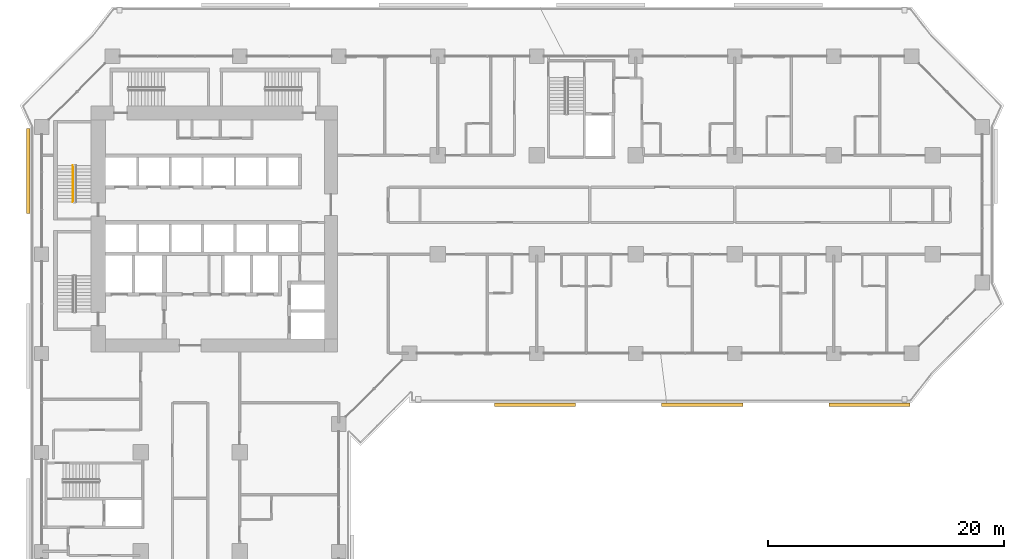
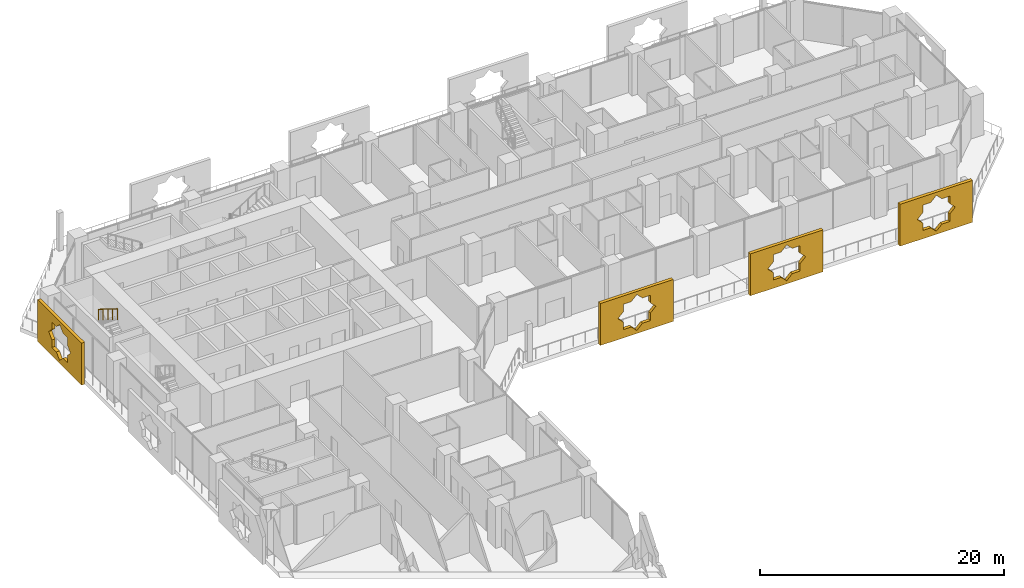
# One storey, part 23 of 26: 4 coverings, 1 railing.
"""IFC4 building model written with IfcOpenShell, lengths in metres."""

from ifc_helpers import new_model, si_unit, direction, frame, origin, origin_2d, place, context, subcontext, project, spatial, polyline, circle, outline, extrude, material, material_profile, profile_set, type_object, element, save


model = new_model("IFC4")

# Units and contexts
model_context = context("Model", 3, precision=1e-05, world=origin(), true_north=direction((0.0, 1.0)))
body_context = subcontext(model_context, "Body", "Model", "MODEL_VIEW")
ifc_project = project(units=[si_unit("LENGTHUNIT", "METRE"), si_unit("AREAUNIT", "SQUARE_METRE"), si_unit("VOLUMEUNIT", "CUBIC_METRE"), si_unit("PLANEANGLEUNIT", "RADIAN"), si_unit("MASSUNIT", "GRAM", prefix="KILO")], contexts=[model_context])

# Site, building, storey
site_placement = place(None, origin())
site = spatial("IfcSite", under=ifc_project, at=site_placement, CompositionType="ELEMENT")
building_placement = place(site_placement, origin())
building = spatial("IfcBuilding", under=site, at=building_placement, Name="Kawkab Arch Medical Tower", CompositionType="ELEMENT")
storey_placement = place(building_placement, frame((0.0, 0.0, 51.800048828125)))
storey = spatial("IfcBuildingStorey", under=building, at=storey_placement, Name="L11", CompositionType="ELEMENT", Elevation=51.800048828125)

# Coverings
ifc_material_1 = material(Name="Bronze anodised aluminium mashrabiya panel, eight-point star pattern", Category="aluminium")
ifc_material_profile_1 = material_profile(ifc_material_1, outline(polyline([(-3.449951171875, -2.10009765625), (3.449951171875, -2.10009765625), (3.449951171875, 2.10009765625), (-3.449951171875, 2.10009765625), (-3.449951171875, -2.10009765625)]), holes=[polyline([(1.800048828125, 0.0), (1.272705078125, 0.527099609375), (1.272705078125, 1.272705078125), (0.527099609375, 1.272705078125), (0.0, 1.800048828125), (-0.527099609375, 1.272705078125), (-1.272705078125, 1.272705078125), (-1.272705078125, 0.527099609375), (-1.800048828125, 0.0), (-1.272705078125, -0.527099609375), (-1.272705078125, -1.272705078125), (-0.527099609375, -1.272705078125), (0.0, -1.800048828125), (0.527099609375, -1.272705078125), (1.272705078125, -1.272705078125), (1.272705078125, -0.527099609375), (1.800048828125, 0.0)])]), Name="Mashrabiya panel 6900x4200")
ifc_profile_set_1 = profile_set([ifc_material_profile_1], Name="Bronze anodised aluminium mashrabiya panel, eight-point star pattern")
covering_type_1 = type_object("IfcCoveringType", Name="Mashrabiya panel 6900 x 4200", PredefinedType="USERDEFINED", material=ifc_profile_set_1)
for number, where, z_axis, x_axis, name in (
    (1, (70.226318359375, -29.39990234375, 1.699951171875), (0.0, -1.0, 0.0), (1.0, 0.0, 0.0), "Mashrabiya panel L11.LOG-01-01.10"),
    (2, (56.05126953125, -29.39990234375, 1.699951171875), (0.0, -1.0, 0.0), (1.0, 0.0, 0.0), "Mashrabiya panel L11.LOG-01-01.11"),
    (3, (41.856201171875, -29.39990234375, 1.699951171875), (0.0, -1.0, 0.0), (1.0, 0.0, 0.0), "Mashrabiya panel L11.LOG-01-01.12"),
):
    element("IfcCovering", number, at=place(storey_placement, frame(where, z_axis=z_axis, x_axis=x_axis)), inside=storey, type_object=covering_type_1, Name=name, ObjectType="SCREEN", PredefinedType="USERDEFINED", context=body_context, shape_type="SweptSolid", body=[
        extrude(outline(polyline([(-3.449951171875, -2.10009765625), (3.449951171875, -2.10009765625), (3.449951171875, 2.10009765625), (-3.449951171875, 2.10009765625), (-3.449951171875, -2.10009765625)]), holes=[polyline([(1.800048828125, 0.0), (1.272705078125, 0.527099609375), (1.272705078125, 1.272705078125), (0.527099609375, 1.272705078125), (0.0, 1.800048828125), (-0.527099609375, 1.272705078125), (-1.272705078125, 1.272705078125), (-1.272705078125, 0.527099609375), (-1.800048828125, 0.0), (-1.272705078125, -0.527099609375), (-1.272705078125, -1.272705078125), (-0.527099609375, -1.272705078125), (0.0, -1.800048828125), (0.527099609375, -1.272705078125), (1.272705078125, -1.272705078125), (1.272705078125, -0.527099609375), (1.800048828125, 0.0)])]), origin(), (0.0, 0.0, 1.0), 0.300048828125),
    ])
ifc_material_2 = material(Name="Bronze anodised aluminium mashrabiya panel, eight-point star pattern", Category="aluminium")
ifc_material_profile_2 = material_profile(ifc_material_2, outline(polyline([(-3.60009765625, -2.10009765625), (3.60009765625, -2.10009765625), (3.60009765625, 2.10009765625), (-3.60009765625, 2.10009765625), (-3.60009765625, -2.10009765625)]), holes=[polyline([(1.800048828125, 0.0), (1.272705078125, 0.527099609375), (1.272705078125, 1.272705078125), (0.527099609375, 1.272705078125), (0.0, 1.800048828125), (-0.527099609375, 1.272705078125), (-1.272705078125, 1.272705078125), (-1.272705078125, 0.527099609375), (-1.800048828125, 0.0), (-1.272705078125, -0.527099609375), (-1.272705078125, -1.272705078125), (-0.527099609375, -1.272705078125), (0.0, -1.800048828125), (0.527099609375, -1.272705078125), (1.272705078125, -1.272705078125), (1.272705078125, -0.527099609375), (1.800048828125, 0.0)])]), Name="Mashrabiya panel 7200x4200")
ifc_profile_set_2 = profile_set([ifc_material_profile_2], Name="Bronze anodised aluminium mashrabiya panel, eight-point star pattern")
covering_type_2 = type_object("IfcCoveringType", Name="Mashrabiya panel 7200 x 4200", PredefinedType="USERDEFINED", material=ifc_profile_set_2)
covering_placement = place(storey_placement, frame((-1.0, -9.730712890625, 1.699951171875), z_axis=(-1.0, 0.0, 0.0), x_axis=(0.0, -1.0, 0.0)))
element("IfcCovering", 4, at=covering_placement, inside=storey, type_object=covering_type_2, Name="Mashrabiya panel L11.LOG-01-01.4", ObjectType="SCREEN", PredefinedType="USERDEFINED", context=body_context, shape_type="SweptSolid", body=[
    extrude(outline(polyline([(-3.60009765625, -2.10009765625), (3.60009765625, -2.10009765625), (3.60009765625, 2.10009765625), (-3.60009765625, 2.10009765625), (-3.60009765625, -2.10009765625)]), holes=[polyline([(1.800048828125, 0.0), (1.272705078125, 0.527099609375), (1.272705078125, 1.272705078125), (0.527099609375, 1.272705078125), (0.0, 1.800048828125), (-0.527099609375, 1.272705078125), (-1.272705078125, 1.272705078125), (-1.272705078125, 0.527099609375), (-1.800048828125, 0.0), (-1.272705078125, -0.527099609375), (-1.272705078125, -1.272705078125), (-0.527099609375, -1.272705078125), (0.0, -1.800048828125), (0.527099609375, -1.272705078125), (1.272705078125, -1.272705078125), (1.272705078125, -0.527099609375), (1.800048828125, 0.0)])]), origin(), (0.0, 0.0, 1.0), 0.300048828125),
])

# Railing
ifc_material_3 = material(Name="Stainless steel", Category="steel")
railing_type = type_object("IfcRailingType", Name="Stair guard 1100", PredefinedType="GUARDRAIL", material=ifc_material_3)
railing_placement = place(storey_placement, frame((2.64990234375, -9.27001953125, 2.27490234375)))
element("IfcRailing", 5, at=railing_placement, inside=storey, type_object=railing_type, Name="L11 ST1 stair guard 3", PredefinedType="GUARDRAIL", context=body_context, shape_type="SweptSolid", body=[
    extrude(circle(Radius=0.02392578125, at=origin_2d()), frame((0.0, 0.0, 1.076171875), z_axis=(0.0, -0.847998304005, 0.529998940003), x_axis=(1.0, 0.0, 0.0)), (0.0, 0.0, 1.0), 3.632080078125),
    extrude(circle(Radius=0.02099609375, at=origin_2d()), origin(), (0.0, 0.0, 1.0), 1.052001953125),
    extrude(circle(Radius=0.02099609375, at=origin_2d()), frame((0.0, -0.77001953125, 0.481201171875)), (0.0, 0.0, 1.0), 1.052001953125),
    extrude(circle(Radius=0.02099609375, at=origin_2d()), frame((0.0, -1.5400390625, 0.96240234375)), (0.0, 0.0, 1.0), 1.052001953125),
    extrude(circle(Radius=0.02099609375, at=origin_2d()), frame((0.0, -2.31005859375, 1.44384765625)), (0.0, 0.0, 1.0), 1.052001953125),
    extrude(circle(Radius=0.02099609375, at=origin_2d()), frame((0.0, -3.080078125, 1.925048828125)), (0.0, 0.0, 1.0), 1.052001953125),
])

save(model, "model.ifc")
